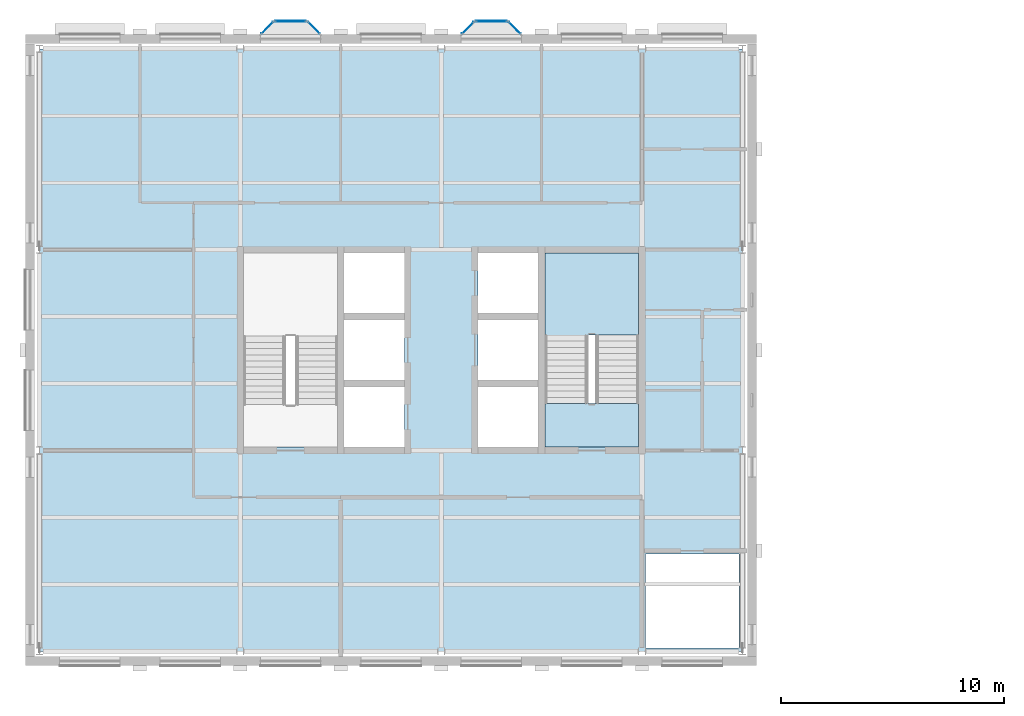
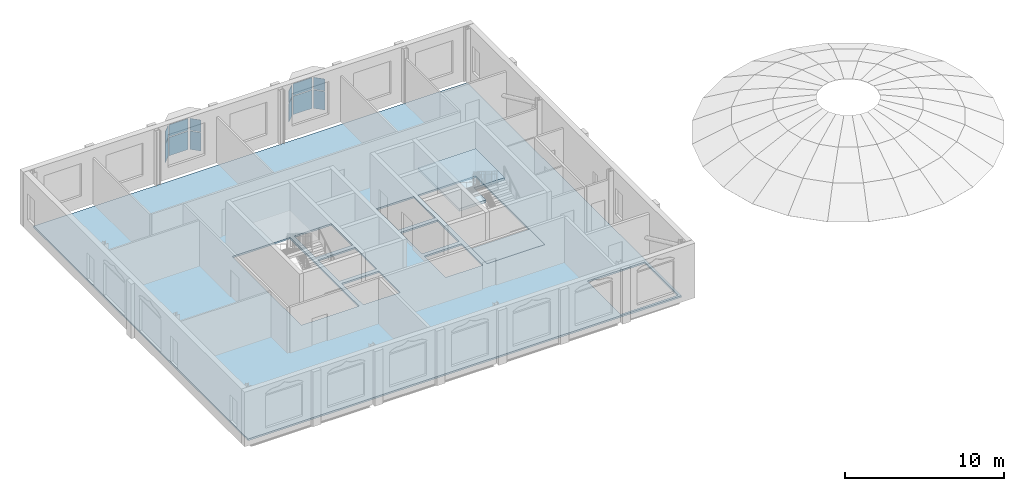
# One storey, part 3 of 11: 12 plates, 3 slabs, 7 elements without a shape of their own.
"""IFC4 building model written with IfcOpenShell, lengths in metres."""

from ifc_helpers import new_model, si_unit, direction, frame, origin, origin_2d, place, context, subcontext, project, spatial, polyline, rectangle, outline, extrude, material, layer, layer_set, type_object, element, aggregate, save


model = new_model("IFC4")

# Units and contexts
model_context = context("Model", 3, precision=1e-05, world=origin(), true_north=direction((0.0, 1.0)))
body_context = subcontext(model_context, "Body", "Model", "MODEL_VIEW")
ifc_project = project(units=[si_unit("LENGTHUNIT", "METRE"), si_unit("AREAUNIT", "SQUARE_METRE"), si_unit("VOLUMEUNIT", "CUBIC_METRE"), si_unit("PLANEANGLEUNIT", "RADIAN"), si_unit("MASSUNIT", "GRAM", prefix="KILO")], contexts=[model_context])

# Site, building, storey
site_placement = place(None, origin())
site = spatial("IfcSite", under=ifc_project, at=site_placement, CompositionType="ELEMENT")
building_placement = place(site_placement, origin())
building = spatial("IfcBuilding", under=site, at=building_placement, Name="Hortulan Conservatory and Botanical Research Centre", CompositionType="ELEMENT")
storey_placement = place(building_placement, frame((0.0, 0.0, 27.60009765625)))
storey = spatial("IfcBuildingStorey", under=building, at=storey_placement, Name="L06", CompositionType="ELEMENT", Elevation=27.60009765625)

# Slab
ifc_material_1 = material(Name="Concrete N32 (32 MPa, AS 3600)", Category="concrete")
ifc_layer_1 = layer(ifc_material_1, 0.1298828125)
ifc_layer_set_1 = layer_set([ifc_layer_1], Name="Composite Floor Slab 130")
slab_type_1 = type_object("IfcSlabType", Name="Composite Floor Slab 130", PredefinedType="FLOOR", material=ifc_layer_set_1)
slab_1_placement = place(storey_placement, frame((0.0, 0.0, -0.130126953125)))
element("IfcSlab", 1, at=slab_1_placement, inside=storey, type_object=slab_type_1, Name="Floor slab", PredefinedType="FLOOR", context=body_context, shape_type="SweptSolid", body=[
    extrude(outline(polyline([(0.0, 0.0), (31.5, 0.0), (31.5, 27.0), (0.0, 27.0), (0.0, 0.0)]), holes=[polyline([(27.14990234375, 4.35009765625), (27.14990234375, 0.14990234375), (31.35009765625, 0.14990234375), (31.35009765625, 4.35009765625), (27.14990234375, 4.35009765625)]), polyline([(13.64990234375, 11.85009765625), (13.64990234375, 9.14990234375), (16.35009765625, 9.14990234375), (16.35009765625, 11.85009765625), (13.64990234375, 11.85009765625)]), polyline([(19.64990234375, 11.85009765625), (19.64990234375, 9.14990234375), (22.35009765625, 9.14990234375), (22.35009765625, 11.85009765625), (19.64990234375, 11.85009765625)]), polyline([(9.14990234375, 17.85009765625), (9.14990234375, 9.14990234375), (13.35009765625, 9.14990234375), (13.35009765625, 17.85009765625), (9.14990234375, 17.85009765625)]), polyline([(13.64990234375, 14.85009765625), (13.64990234375, 12.14990234375), (16.35009765625, 12.14990234375), (16.35009765625, 14.85009765625), (13.64990234375, 14.85009765625)]), polyline([(19.64990234375, 14.85009765625), (19.64990234375, 12.14990234375), (22.35009765625, 12.14990234375), (22.35009765625, 14.85009765625), (19.64990234375, 14.85009765625)]), polyline([(22.64990234375, 17.85009765625), (22.64990234375, 9.14990234375), (26.85009765625, 9.14990234375), (26.85009765625, 17.85009765625), (22.64990234375, 17.85009765625)]), polyline([(16.35009765625, 17.85009765625), (13.64990234375, 17.85009765625), (13.64990234375, 15.14990234375), (16.35009765625, 15.14990234375), (16.35009765625, 17.85009765625)]), polyline([(22.35009765625, 17.85009765625), (19.64990234375, 17.85009765625), (19.64990234375, 15.14990234375), (22.35009765625, 15.14990234375), (22.35009765625, 17.85009765625)])]), origin(), (0.0, 0.0, 1.0), 0.130126953125),
])

# Curtain wall, plates
ifc_material_2 = material(Name="Bronze-finished aluminium", Category="aluminium")
ifc_layer_2 = layer(ifc_material_2, 0.10009765625)
ifc_layer_set_2 = layer_set([ifc_layer_2], Name="Oriel Curtain Wall 1350 module")
curtain_wall_type = type_object("IfcCurtainWallType", Name="Oriel Curtain Wall 1350 module", PredefinedType="NOTDEFINED", material=ifc_layer_set_2)
curtain_wall_1_placement = place(storey_placement, origin())
curtain_wall_1 = element("IfcCurtainWall", 2, at=curtain_wall_1_placement, inside=storey, type_object=curtain_wall_type, Name="Oriel glazing", PredefinedType="NOTDEFINED")
ifc_material_3 = material(Name="Low-e laminated glass", Category="glass")
ifc_layer_3 = layer(ifc_material_3, 0.028076171875)
ifc_layer_set_3 = layer_set([ifc_layer_3], Name="Laminated Glass Panel 28")
plate_type = type_object("IfcPlateType", Name="Laminated Glass Panel 28", PredefinedType="CURTAIN_PANEL", material=ifc_layer_set_3)
plate_1_placement = place(storey_placement, frame((10.199951171875, 27.93603515625, 0.9599609375), z_axis=(0.0, 0.0, 1.0), x_axis=(0.707106781187, 0.707106781187, 0.0)))
plate_1 = element("IfcPlate", 3, at=plate_1_placement, type_object=plate_type, Name="CW2 panel 1.1", PredefinedType="CURTAIN_PANEL", context=body_context, shape_type="SweptSolid", body=[
    extrude(rectangle(XDim=0.728515625, YDim=0.028076171875, at=origin_2d()), origin(), (0.0, 0.0, 1.0), 1.409912109375),
])
plate_2_placement = place(storey_placement, frame((10.199951171875, 27.93603515625, 2.43017578125), z_axis=(0.0, 0.0, 1.0), x_axis=(0.707106781187, 0.707106781187, 0.0)))
plate_2 = element("IfcPlate", 4, at=plate_2_placement, type_object=plate_type, Name="CW2 panel 1.2", PredefinedType="CURTAIN_PANEL", context=body_context, shape_type="SweptSolid", body=[
    extrude(rectangle(XDim=0.728515625, YDim=0.028076171875, at=origin_2d()), origin(), (0.0, 0.0, 1.0), 0.909912109375),
])
aggregate(curtain_wall_1, [plate_1, plate_2])

curtain_wall_2_placement = place(storey_placement, origin())
curtain_wall_2 = element("IfcCurtainWall", 5, at=curtain_wall_2_placement, inside=storey, type_object=curtain_wall_type, Name="Oriel glazing", PredefinedType="NOTDEFINED")
plate_3_placement = place(storey_placement, frame((11.25, 28.236083984375, 0.9599609375), z_axis=(0.0, 0.0, 1.0), x_axis=(1.0, 0.0, 0.0)))
plate_3 = element("IfcPlate", 6, at=plate_3_placement, type_object=plate_type, Name="CW2 panel 1.1", PredefinedType="CURTAIN_PANEL", context=body_context, shape_type="SweptSolid", body=[
    extrude(rectangle(XDim=1.3798828125, YDim=0.028076171875, at=origin_2d()), origin(), (0.0, 0.0, 1.0), 1.409912109375),
])
plate_4_placement = place(storey_placement, frame((11.25, 28.236083984375, 2.43017578125), z_axis=(0.0, 0.0, 1.0), x_axis=(1.0, 0.0, 0.0)))
plate_4 = element("IfcPlate", 7, at=plate_4_placement, type_object=plate_type, Name="CW2 panel 1.2", PredefinedType="CURTAIN_PANEL", context=body_context, shape_type="SweptSolid", body=[
    extrude(rectangle(XDim=1.3798828125, YDim=0.028076171875, at=origin_2d()), origin(), (0.0, 0.0, 1.0), 0.909912109375),
])
aggregate(curtain_wall_2, [plate_3, plate_4])

curtain_wall_3_placement = place(storey_placement, origin())
curtain_wall_3 = element("IfcCurtainWall", 8, at=curtain_wall_3_placement, inside=storey, type_object=curtain_wall_type, Name="Oriel glazing", PredefinedType="NOTDEFINED")
plate_5_placement = place(storey_placement, frame((12.300048828125, 27.93603515625, 0.9599609375), z_axis=(0.0, 0.0, 1.0), x_axis=(0.707106781187, -0.707106781187, 0.0)))
plate_5 = element("IfcPlate", 9, at=plate_5_placement, type_object=plate_type, Name="CW2 panel 1.1", PredefinedType="CURTAIN_PANEL", context=body_context, shape_type="SweptSolid", body=[
    extrude(rectangle(XDim=0.728515625, YDim=0.028076171875, at=origin_2d()), origin(), (0.0, 0.0, 1.0), 1.409912109375),
])
plate_6_placement = place(storey_placement, frame((12.300048828125, 27.93603515625, 2.43017578125), z_axis=(0.0, 0.0, 1.0), x_axis=(0.707106781187, -0.707106781187, 0.0)))
plate_6 = element("IfcPlate", 10, at=plate_6_placement, type_object=plate_type, Name="CW2 panel 1.2", PredefinedType="CURTAIN_PANEL", context=body_context, shape_type="SweptSolid", body=[
    extrude(rectangle(XDim=0.728515625, YDim=0.028076171875, at=origin_2d()), origin(), (0.0, 0.0, 1.0), 0.909912109375),
])
aggregate(curtain_wall_3, [plate_5, plate_6])

curtain_wall_4_placement = place(storey_placement, origin())
curtain_wall_4 = element("IfcCurtainWall", 11, at=curtain_wall_4_placement, inside=storey, type_object=curtain_wall_type, Name="Oriel glazing", PredefinedType="NOTDEFINED")
plate_7_placement = place(storey_placement, frame((19.199951171875, 27.93603515625, 0.9599609375), z_axis=(0.0, 0.0, 1.0), x_axis=(0.707106781187, 0.707106781187, 0.0)))
plate_7 = element("IfcPlate", 12, at=plate_7_placement, type_object=plate_type, Name="CW2 panel 1.1", PredefinedType="CURTAIN_PANEL", context=body_context, shape_type="SweptSolid", body=[
    extrude(rectangle(XDim=0.728515625, YDim=0.028076171875, at=origin_2d()), origin(), (0.0, 0.0, 1.0), 1.409912109375),
])
plate_8_placement = place(storey_placement, frame((19.199951171875, 27.93603515625, 2.43017578125), z_axis=(0.0, 0.0, 1.0), x_axis=(0.707106781187, 0.707106781187, 0.0)))
plate_8 = element("IfcPlate", 13, at=plate_8_placement, type_object=plate_type, Name="CW2 panel 1.2", PredefinedType="CURTAIN_PANEL", context=body_context, shape_type="SweptSolid", body=[
    extrude(rectangle(XDim=0.728515625, YDim=0.028076171875, at=origin_2d()), origin(), (0.0, 0.0, 1.0), 0.909912109375),
])
aggregate(curtain_wall_4, [plate_7, plate_8])

curtain_wall_5_placement = place(storey_placement, origin())
curtain_wall_5 = element("IfcCurtainWall", 14, at=curtain_wall_5_placement, inside=storey, type_object=curtain_wall_type, Name="Oriel glazing", PredefinedType="NOTDEFINED")
plate_9_placement = place(storey_placement, frame((20.25, 28.236083984375, 0.9599609375), z_axis=(0.0, 0.0, 1.0), x_axis=(1.0, 0.0, 0.0)))
plate_9 = element("IfcPlate", 15, at=plate_9_placement, type_object=plate_type, Name="CW2 panel 1.1", PredefinedType="CURTAIN_PANEL", context=body_context, shape_type="SweptSolid", body=[
    extrude(rectangle(XDim=1.3798828125, YDim=0.028076171875, at=origin_2d()), origin(), (0.0, 0.0, 1.0), 1.409912109375),
])
plate_10_placement = place(storey_placement, frame((20.25, 28.236083984375, 2.43017578125), z_axis=(0.0, 0.0, 1.0), x_axis=(1.0, 0.0, 0.0)))
plate_10 = element("IfcPlate", 16, at=plate_10_placement, type_object=plate_type, Name="CW2 panel 1.2", PredefinedType="CURTAIN_PANEL", context=body_context, shape_type="SweptSolid", body=[
    extrude(rectangle(XDim=1.3798828125, YDim=0.028076171875, at=origin_2d()), origin(), (0.0, 0.0, 1.0), 0.909912109375),
])
aggregate(curtain_wall_5, [plate_9, plate_10])

curtain_wall_6_placement = place(storey_placement, origin())
curtain_wall_6 = element("IfcCurtainWall", 17, at=curtain_wall_6_placement, inside=storey, type_object=curtain_wall_type, Name="Oriel glazing", PredefinedType="NOTDEFINED")
plate_11_placement = place(storey_placement, frame((21.300048828125, 27.93603515625, 0.9599609375), z_axis=(0.0, 0.0, 1.0), x_axis=(0.707106781187, -0.707106781187, 0.0)))
plate_11 = element("IfcPlate", 18, at=plate_11_placement, type_object=plate_type, Name="CW2 panel 1.1", PredefinedType="CURTAIN_PANEL", context=body_context, shape_type="SweptSolid", body=[
    extrude(rectangle(XDim=0.728515625, YDim=0.028076171875, at=origin_2d()), origin(), (0.0, 0.0, 1.0), 1.409912109375),
])
plate_12_placement = place(storey_placement, frame((21.300048828125, 27.93603515625, 2.43017578125), z_axis=(0.0, 0.0, 1.0), x_axis=(0.707106781187, -0.707106781187, 0.0)))
plate_12 = element("IfcPlate", 19, at=plate_12_placement, type_object=plate_type, Name="CW2 panel 1.2", PredefinedType="CURTAIN_PANEL", context=body_context, shape_type="SweptSolid", body=[
    extrude(rectangle(XDim=0.728515625, YDim=0.028076171875, at=origin_2d()), origin(), (0.0, 0.0, 1.0), 0.909912109375),
])
aggregate(curtain_wall_6, [plate_11, plate_12])

# Stair, slab
ifc_material_4 = material(Name="Concrete N40 (40 MPa, AS 3600)", Category="concrete")
stair_type = type_object("IfcStairType", Name="Concrete Escape Stair 1950", PredefinedType="HALF_TURN_STAIR", material=ifc_material_4)
stair_placement = place(storey_placement, origin())
stair = element("IfcStair", 20, at=stair_placement, inside=storey, type_object=stair_type, Name="Stair T2 L06", PredefinedType="HALF_TURN_STAIR")
ifc_layer_4 = layer(ifc_material_4, 0.199951171875)
ifc_layer_set_4 = layer_set([ifc_layer_4], Name="Stair Landing 200")
slab_type_2 = type_object("IfcSlabType", Name="Stair Landing 200", PredefinedType="LANDING", material=ifc_layer_set_4)
slab_2_placement = place(storey_placement, frame((0.0, 0.0, 1.89990234375)))
slab_2 = element("IfcSlab", 21, at=slab_2_placement, type_object=slab_type_2, Name="Stair T2 L06 half landing 1", PredefinedType="LANDING", context=body_context, shape_type="SweptSolid", body=[
    extrude(outline(polyline([(26.85009765625, 14.179443359375), (24.60009765625, 14.179443359375), (24.60009765625, 12.639892578125), (22.64990234375, 12.639892578125), (22.64990234375, 14.179443359375), (22.64990234375, 14.179931640625), (22.64990234375, 14.18994140625), (22.64990234375, 17.85009765625), (26.85009765625, 17.85009765625), (26.85009765625, 14.18994140625), (26.85009765625, 14.179931640625), (26.85009765625, 14.179443359375)])), origin(), (0.0, 0.0, 1.0), 0.199951171875),
])
aggregate(stair, [slab_2])

# Slab
slab_3_placement = place(storey_placement, frame((0.0, 0.0, -0.2001953125)))
element("IfcSlab", 22, at=slab_3_placement, inside=storey, type_object=slab_type_2, Name="Stair T2 floor landing L06", PredefinedType="LANDING", context=body_context, shape_type="SweptSolid", body=[
    extrude(outline(polyline([(26.85009765625, 9.14990234375), (22.64990234375, 9.14990234375), (22.64990234375, 11.10009765625), (26.85009765625, 11.10009765625), (26.85009765625, 9.14990234375)])), origin(), (0.0, 0.0, 1.0), 0.2001953125),
])

save(model, "model.ifc")
